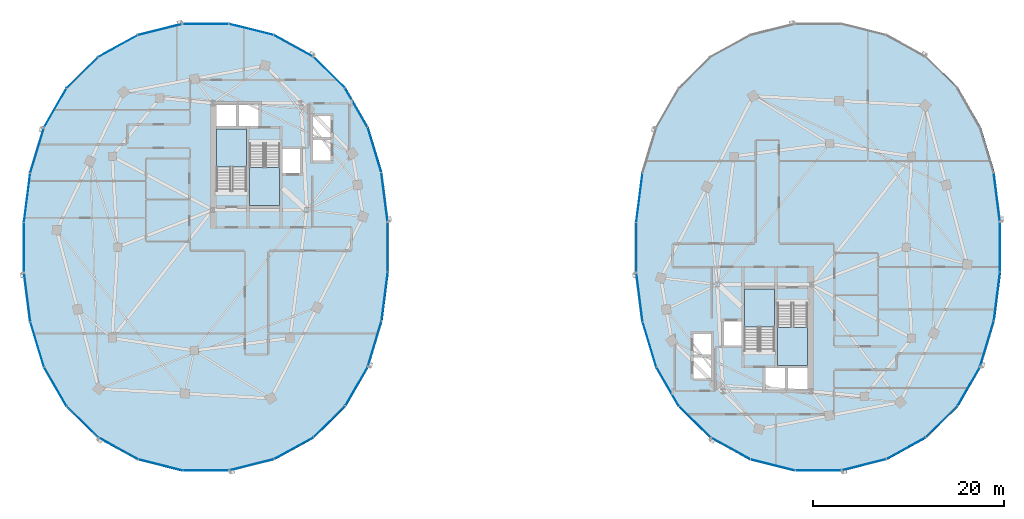
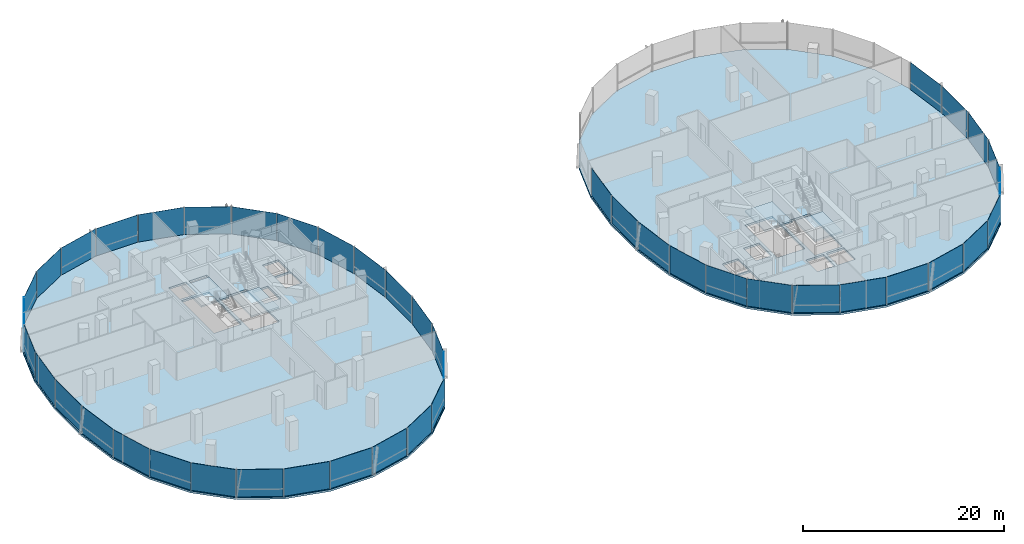
# One storey, part 10 of 22: 45 plates, 6 slabs, 12 elements without a shape of their own.
"""IFC4 building model written with IfcOpenShell, lengths in metres."""

from ifc_helpers import new_model, si_unit, direction, frame, origin, origin_2d, place, context, subcontext, project, spatial, polyline, rectangle, outline, extrude, material, layer, layer_set, type_object, element, aggregate, save


model = new_model("IFC4")

# Units and contexts
model_context = context("Model", 3, precision=1e-05, world=origin(), true_north=direction((0.0, 1.0)))
body_context = subcontext(model_context, "Body", "Model", "MODEL_VIEW")
ifc_project = project(units=[si_unit("LENGTHUNIT", "METRE"), si_unit("AREAUNIT", "SQUARE_METRE"), si_unit("VOLUMEUNIT", "CUBIC_METRE"), si_unit("PLANEANGLEUNIT", "RADIAN"), si_unit("MASSUNIT", "GRAM", prefix="KILO"), si_unit("THERMODYNAMICTEMPERATUREUNIT", "KELVIN"), si_unit("POWERUNIT", "WATT")], contexts=[model_context])

# Site, building, storey
site_placement = place(None, origin())
site = spatial("IfcSite", under=ifc_project, at=site_placement, CompositionType="ELEMENT")
building_placement = place(site_placement, origin())
building = spatial("IfcBuilding", under=site, at=building_placement, Name="Cundina Bronze Exchange", CompositionType="ELEMENT")
storey_placement = place(building_placement, frame((0.0, 0.0, 154.800048828125)))
storey = spatial("IfcBuildingStorey", under=building, at=storey_placement, Name="L40", CompositionType="ELEMENT", Elevation=154.800048828125)

# Curtain wall, plates
ifc_material_1 = material(Name="Anodised Bronze Aluminium 6063-T6", Category="aluminium")
curtain_wall_type = type_object("IfcCurtainWallType", Name="CWS-WST-PIN", PredefinedType="NOTDEFINED", material=ifc_material_1)
curtain_wall_1_placement = place(storey_placement, origin())
curtain_wall_1 = element("IfcCurtainWall", 1, at=curtain_wall_1_placement, inside=storey, type_object=curtain_wall_type, Name="L40 CW-04 Curtain Wall Run CWR-L40-W1", PredefinedType="NOTDEFINED")
ifc_material_2 = material(Name="Heat-Strengthened Solar-Control Bronze Safety Glass 28mm", Category="glass")
ifc_layer_1 = layer(ifc_material_2, 0.028076171875, Name="Heat-Strengthened Solar-Control Bronze Safety Glass 28mm", Category="glass")
ifc_layer_set_1 = layer_set([ifc_layer_1], Name="Heat-Strengthened Solar-Control Bronze Safety Glass 28mm")
plate_type_1 = type_object("IfcPlateType", Name="PLT-GLZ-VIS28", PredefinedType="CURTAIN_PANEL", material=ifc_layer_set_1)
plate_1_placement = place(storey_placement, frame((-13.320556640625, 5.2041015625, 0.02001953125), z_axis=(0.0, 0.0, 1.0), x_axis=(-0.126475984253, 0.9919696696, 0.0)))
plate_1 = element("IfcPlate", 2, at=plate_1_placement, type_object=plate_type_1, Name="CW-04 Glazed Panel 1", PredefinedType="CURTAIN_PANEL", context=body_context, shape_type="SweptSolid", body=[
    extrude(rectangle(XDim=5.104736328125, YDim=0.028076171875, at=origin_2d()), origin(), (0.0, 0.0, 1.0), 3.320068359375),
])
plate_2_placement = place(storey_placement, frame((-14.36669921875, 10.14208984375, 0.02001953125), z_axis=(0.0, 0.0, 1.0), x_axis=(-0.290050843957, 0.957011237092, 0.0)))
plate_2 = element("IfcPlate", 3, at=plate_2_placement, type_object=plate_type_1, Name="CW-04 Glazed Panel 2", PredefinedType="CURTAIN_PANEL", context=body_context, shape_type="SweptSolid", body=[
    extrude(rectangle(XDim=4.885009765625, YDim=0.028076171875, at=origin_2d()), origin(), (0.0, 0.0, 1.0), 3.320068359375),
])
plate_3_placement = place(storey_placement, frame((-16.265625, 14.564697265625, 0.02001953125), z_axis=(0.0, 0.0, 1.0), x_axis=(-0.498487739754, 0.866896748936, 0.0)))
plate_3 = element("IfcPlate", 4, at=plate_3_placement, type_object=plate_type_1, Name="CW-04 Glazed Panel 3", PredefinedType="CURTAIN_PANEL", context=body_context, shape_type="SweptSolid", body=[
    extrude(rectangle(XDim=4.676513671875, YDim=0.028076171875, at=origin_2d()), origin(), (0.0, 0.0, 1.0), 3.320068359375),
])
plate_4_placement = place(storey_placement, frame((-19.105224609375, 18.253662109375, 0.02001953125), z_axis=(0.0, 0.0, 1.0), x_axis=(-0.711989280367, 0.702190333629, 0.0)))
plate_4 = element("IfcPlate", 5, at=plate_4_placement, type_object=plate_type_1, Name="CW-04 Glazed Panel 4", PredefinedType="CURTAIN_PANEL", context=body_context, shape_type="SweptSolid", body=[
    extrude(rectangle(XDim=4.6025390625, YDim=0.028076171875, at=origin_2d()), origin(), (0.0, 0.0, 1.0), 3.320068359375),
])
plate_5_placement = place(storey_placement, frame((-27.23486328125, 22.75244140625, 0.02001953125), z_axis=(0.0, 0.0, 1.0), x_axis=(-0.970092713791, 0.242734683656, 0.0)))
plate_5 = element("IfcPlate", 6, at=plate_5_placement, type_object=plate_type_1, Name="CW-04 Glazed Panel 6", PredefinedType="CURTAIN_PANEL", context=body_context, shape_type="SweptSolid", body=[
    extrude(rectangle(XDim=4.7548828125, YDim=0.028076171875, at=origin_2d()), origin(), (0.0, 0.0, 1.0), 3.320068359375),
])
plate_6_placement = place(storey_placement, frame((-32.0, 23.3369140625, 0.02001953125), z_axis=(0.0, 0.0, 1.0), x_axis=(-1.0, 0.0, 0.0)))
plate_6 = element("IfcPlate", 7, at=plate_6_placement, type_object=plate_type_1, Name="CW-04 Glazed Panel 7", PredefinedType="CURTAIN_PANEL", context=body_context, shape_type="SweptSolid", body=[
    extrude(rectangle(XDim=4.7958984375, YDim=0.028076171875, at=origin_2d()), origin(), (0.0, 0.0, 1.0), 3.320068359375),
])

curtain_wall_2_placement = place(storey_placement, origin())
curtain_wall_2 = element("IfcCurtainWall", 8, at=curtain_wall_2_placement, inside=storey, type_object=curtain_wall_type, Name="L40 CW-04 Curtain Wall Run CWR-L40-W2", PredefinedType="NOTDEFINED")
plate_7_placement = place(storey_placement, frame((-36.76513671875, 22.75244140625, 0.02001953125), z_axis=(0.0, 0.0, 1.0), x_axis=(-0.970092713791, -0.242734683656, 0.0)))
plate_7 = element("IfcPlate", 9, at=plate_7_placement, type_object=plate_type_1, Name="CW-04 Glazed Panel 1", PredefinedType="CURTAIN_PANEL", context=body_context, shape_type="SweptSolid", body=[
    extrude(rectangle(XDim=4.7548828125, YDim=0.028076171875, at=origin_2d()), origin(), (0.0, 0.0, 1.0), 3.320068359375),
])
plate_8_placement = place(storey_placement, frame((-41.16845703125, 21.02880859375, 0.02001953125), z_axis=(0.0, 0.0, 1.0), x_axis=(-0.875869093438, -0.482548786301, 0.0)))
plate_8 = element("IfcPlate", 10, at=plate_8_placement, type_object=plate_type_1, Name="CW-04 Glazed Panel 2", PredefinedType="CURTAIN_PANEL", context=body_context, shape_type="SweptSolid", body=[
    extrude(rectangle(XDim=4.661865234375, YDim=0.028076171875, at=origin_2d()), origin(), (0.0, 0.0, 1.0), 3.320068359375),
])
plate_9_placement = place(storey_placement, frame((-44.894775390625, 18.253662109375, 0.02001953125), z_axis=(0.0, 0.0, 1.0), x_axis=(-0.711989280367, -0.702190333629, 0.0)))
plate_9 = element("IfcPlate", 11, at=plate_9_placement, type_object=plate_type_1, Name="CW-04 Glazed Panel 3", PredefinedType="CURTAIN_PANEL", context=body_context, shape_type="SweptSolid", body=[
    extrude(rectangle(XDim=4.6025390625, YDim=0.028076171875, at=origin_2d()), origin(), (0.0, 0.0, 1.0), 3.320068359375),
])
plate_10_placement = place(storey_placement, frame((-49.63330078125, 10.14208984375, 0.02001953125), z_axis=(0.0, 0.0, 1.0), x_axis=(-0.290050843957, -0.957011237092, 0.0)))
plate_10 = element("IfcPlate", 12, at=plate_10_placement, type_object=plate_type_1, Name="CW-04 Glazed Panel 5", PredefinedType="CURTAIN_PANEL", context=body_context, shape_type="SweptSolid", body=[
    extrude(rectangle(XDim=4.885009765625, YDim=0.028076171875, at=origin_2d()), origin(), (0.0, 0.0, 1.0), 3.320068359375),
])
plate_11_placement = place(storey_placement, frame((-50.679443359375, 5.2041015625, 0.02001953125), z_axis=(0.0, 0.0, 1.0), x_axis=(-0.126475984253, -0.9919696696, 0.0)))
plate_11 = element("IfcPlate", 13, at=plate_11_placement, type_object=plate_type_1, Name="CW-04 Glazed Panel 6", PredefinedType="CURTAIN_PANEL", context=body_context, shape_type="SweptSolid", body=[
    extrude(rectangle(XDim=5.104736328125, YDim=0.028076171875, at=origin_2d()), origin(), (0.0, 0.0, 1.0), 3.320068359375),
])
plate_12_placement = place(storey_placement, frame((-51.007080078125, 0.0, 0.02001953125), z_axis=(0.0, 0.0, 1.0), x_axis=(0.0, -1.0, 0.0)))
plate_12 = element("IfcPlate", 14, at=plate_12_placement, type_object=plate_type_1, Name="CW-04 Glazed Panel 7", PredefinedType="CURTAIN_PANEL", context=body_context, shape_type="SweptSolid", body=[
    extrude(rectangle(XDim=5.194091796875, YDim=0.028076171875, at=origin_2d()), origin(), (0.0, 0.0, 1.0), 3.320068359375),
])

curtain_wall_3_placement = place(storey_placement, origin())
curtain_wall_3 = element("IfcCurtainWall", 15, at=curtain_wall_3_placement, inside=storey, type_object=curtain_wall_type, Name="L40 CW-04 Curtain Wall Run CWR-L40-W3", PredefinedType="NOTDEFINED")
plate_13_placement = place(storey_placement, frame((-50.679443359375, -5.2041015625, 0.02001953125), z_axis=(0.0, 0.0, 1.0), x_axis=(0.126475984253, -0.9919696696, 0.0)))
plate_13 = element("IfcPlate", 16, at=plate_13_placement, type_object=plate_type_1, Name="CW-04 Glazed Panel 1", PredefinedType="CURTAIN_PANEL", context=body_context, shape_type="SweptSolid", body=[
    extrude(rectangle(XDim=5.104736328125, YDim=0.028076171875, at=origin_2d()), origin(), (0.0, 0.0, 1.0), 3.320068359375),
])
plate_14_placement = place(storey_placement, frame((-49.63330078125, -10.14208984375, 0.02001953125), z_axis=(0.0, 0.0, 1.0), x_axis=(0.290050843957, -0.957011237092, 0.0)))
plate_14 = element("IfcPlate", 17, at=plate_14_placement, type_object=plate_type_1, Name="CW-04 Glazed Panel 2", PredefinedType="CURTAIN_PANEL", context=body_context, shape_type="SweptSolid", body=[
    extrude(rectangle(XDim=4.885009765625, YDim=0.028076171875, at=origin_2d()), origin(), (0.0, 0.0, 1.0), 3.320068359375),
])
plate_15_placement = place(storey_placement, frame((-44.894775390625, -18.253662109375, 0.02001953125), z_axis=(0.0, 0.0, 1.0), x_axis=(0.711989280367, -0.702190333629, 0.0)))
plate_15 = element("IfcPlate", 18, at=plate_15_placement, type_object=plate_type_1, Name="CW-04 Glazed Panel 4", PredefinedType="CURTAIN_PANEL", context=body_context, shape_type="SweptSolid", body=[
    extrude(rectangle(XDim=4.6025390625, YDim=0.028076171875, at=origin_2d()), origin(), (0.0, 0.0, 1.0), 3.320068359375),
])
plate_16_placement = place(storey_placement, frame((-41.16845703125, -21.02880859375, 0.02001953125), z_axis=(0.0, 0.0, 1.0), x_axis=(0.875869093438, -0.482548786301, 0.0)))
plate_16 = element("IfcPlate", 19, at=plate_16_placement, type_object=plate_type_1, Name="CW-04 Glazed Panel 5", PredefinedType="CURTAIN_PANEL", context=body_context, shape_type="SweptSolid", body=[
    extrude(rectangle(XDim=4.661865234375, YDim=0.028076171875, at=origin_2d()), origin(), (0.0, 0.0, 1.0), 3.320068359375),
])
plate_17_placement = place(storey_placement, frame((-36.76513671875, -22.75244140625, 0.02001953125), z_axis=(0.0, 0.0, 1.0), x_axis=(0.970092713791, -0.242734683656, 0.0)))
plate_17 = element("IfcPlate", 20, at=plate_17_placement, type_object=plate_type_1, Name="CW-04 Glazed Panel 6", PredefinedType="CURTAIN_PANEL", context=body_context, shape_type="SweptSolid", body=[
    extrude(rectangle(XDim=4.7548828125, YDim=0.028076171875, at=origin_2d()), origin(), (0.0, 0.0, 1.0), 3.320068359375),
])
plate_18_placement = place(storey_placement, frame((-32.0, -23.3369140625, 0.02001953125), z_axis=(0.0, 0.0, 1.0), x_axis=(1.0, 0.0, 0.0)))
plate_18 = element("IfcPlate", 21, at=plate_18_placement, type_object=plate_type_1, Name="CW-04 Glazed Panel 7", PredefinedType="CURTAIN_PANEL", context=body_context, shape_type="SweptSolid", body=[
    extrude(rectangle(XDim=4.7958984375, YDim=0.028076171875, at=origin_2d()), origin(), (0.0, 0.0, 1.0), 3.320068359375),
])

curtain_wall_4_placement = place(storey_placement, origin())
curtain_wall_4 = element("IfcCurtainWall", 22, at=curtain_wall_4_placement, inside=storey, type_object=curtain_wall_type, Name="L40 CW-04 Curtain Wall Run CWR-L40-W4", PredefinedType="NOTDEFINED")
plate_19_placement = place(storey_placement, frame((-27.23486328125, -22.75244140625, 0.02001953125), z_axis=(0.0, 0.0, 1.0), x_axis=(0.970092713791, 0.242734683656, 0.0)))
plate_19 = element("IfcPlate", 23, at=plate_19_placement, type_object=plate_type_1, Name="CW-04 Glazed Panel 1", PredefinedType="CURTAIN_PANEL", context=body_context, shape_type="SweptSolid", body=[
    extrude(rectangle(XDim=4.7548828125, YDim=0.028076171875, at=origin_2d()), origin(), (0.0, 0.0, 1.0), 3.320068359375),
])
plate_20_placement = place(storey_placement, frame((-19.105224609375, -18.253662109375, 0.02001953125), z_axis=(0.0, 0.0, 1.0), x_axis=(0.711989280367, 0.702190333629, 0.0)))
plate_20 = element("IfcPlate", 24, at=plate_20_placement, type_object=plate_type_1, Name="CW-04 Glazed Panel 3", PredefinedType="CURTAIN_PANEL", context=body_context, shape_type="SweptSolid", body=[
    extrude(rectangle(XDim=4.6025390625, YDim=0.028076171875, at=origin_2d()), origin(), (0.0, 0.0, 1.0), 3.320068359375),
])
plate_21_placement = place(storey_placement, frame((-16.265625, -14.564697265625, 0.02001953125), z_axis=(0.0, 0.0, 1.0), x_axis=(0.498487739754, 0.866896748936, 0.0)))
plate_21 = element("IfcPlate", 25, at=plate_21_placement, type_object=plate_type_1, Name="CW-04 Glazed Panel 4", PredefinedType="CURTAIN_PANEL", context=body_context, shape_type="SweptSolid", body=[
    extrude(rectangle(XDim=4.676513671875, YDim=0.028076171875, at=origin_2d()), origin(), (0.0, 0.0, 1.0), 3.320068359375),
])
plate_22_placement = place(storey_placement, frame((-14.36669921875, -10.14208984375, 0.02001953125), z_axis=(0.0, 0.0, 1.0), x_axis=(0.290050843957, 0.957011237092, 0.0)))
plate_22 = element("IfcPlate", 26, at=plate_22_placement, type_object=plate_type_1, Name="CW-04 Glazed Panel 5", PredefinedType="CURTAIN_PANEL", context=body_context, shape_type="SweptSolid", body=[
    extrude(rectangle(XDim=4.885009765625, YDim=0.028076171875, at=origin_2d()), origin(), (0.0, 0.0, 1.0), 3.320068359375),
])
plate_23_placement = place(storey_placement, frame((-13.320556640625, -5.2041015625, 0.02001953125), z_axis=(0.0, 0.0, 1.0), x_axis=(0.126475984253, 0.9919696696, 0.0)))
plate_23 = element("IfcPlate", 27, at=plate_23_placement, type_object=plate_type_1, Name="CW-04 Glazed Panel 6", PredefinedType="CURTAIN_PANEL", context=body_context, shape_type="SweptSolid", body=[
    extrude(rectangle(XDim=5.104736328125, YDim=0.028076171875, at=origin_2d()), origin(), (0.0, 0.0, 1.0), 3.320068359375),
])

# Curtain wall, plate
curtain_wall_5_placement = place(storey_placement, origin())
curtain_wall_5 = element("IfcCurtainWall", 28, at=curtain_wall_5_placement, inside=storey, type_object=curtain_wall_type, Name="L40 CW-04 Curtain Wall Run CWR-L40-E1", PredefinedType="NOTDEFINED")
plate_24_placement = place(storey_placement, frame((50.679443359375, 5.2041015625, 0.02001953125), z_axis=(0.0, 0.0, 1.0), x_axis=(-0.126475984253, 0.9919696696, 0.0)))
plate_24 = element("IfcPlate", 29, at=plate_24_placement, type_object=plate_type_1, Name="CW-04 Glazed Panel 1", PredefinedType="CURTAIN_PANEL", context=body_context, shape_type="SweptSolid", body=[
    extrude(rectangle(XDim=5.104736328125, YDim=0.028076171875, at=origin_2d()), origin(), (0.0, 0.0, 1.0), 3.320068359375),
])
aggregate(curtain_wall_5, [plate_24])

# Curtain wall, plates
curtain_wall_6_placement = place(storey_placement, origin())
curtain_wall_6 = element("IfcCurtainWall", 30, at=curtain_wall_6_placement, inside=storey, type_object=curtain_wall_type, Name="L40 CW-04 Curtain Wall Run CWR-L40-E2", PredefinedType="NOTDEFINED")
plate_25_placement = place(storey_placement, frame((13.320556640625, 5.2041015625, 0.02001953125), z_axis=(0.0, 0.0, 1.0), x_axis=(-0.126475984253, -0.9919696696, 0.0)))
plate_25 = element("IfcPlate", 31, at=plate_25_placement, type_object=plate_type_1, Name="CW-04 Glazed Panel 6", PredefinedType="CURTAIN_PANEL", context=body_context, shape_type="SweptSolid", body=[
    extrude(rectangle(XDim=5.104736328125, YDim=0.028076171875, at=origin_2d()), origin(), (0.0, 0.0, 1.0), 3.320068359375),
])
plate_26_placement = place(storey_placement, frame((12.992919921875, 0.0, 0.02001953125), z_axis=(0.0, 0.0, 1.0), x_axis=(0.0, -1.0, 0.0)))
plate_26 = element("IfcPlate", 32, at=plate_26_placement, type_object=plate_type_1, Name="CW-04 Glazed Panel 7", PredefinedType="CURTAIN_PANEL", context=body_context, shape_type="SweptSolid", body=[
    extrude(rectangle(XDim=5.194091796875, YDim=0.028076171875, at=origin_2d()), origin(), (0.0, 0.0, 1.0), 3.320068359375),
])
aggregate(curtain_wall_6, [plate_25, plate_26])

curtain_wall_7_placement = place(storey_placement, origin())
curtain_wall_7 = element("IfcCurtainWall", 33, at=curtain_wall_7_placement, inside=storey, type_object=curtain_wall_type, Name="L40 CW-04 Curtain Wall Run CWR-L40-E3", PredefinedType="NOTDEFINED")
plate_27_placement = place(storey_placement, frame((13.320556640625, -5.2041015625, 0.02001953125), z_axis=(0.0, 0.0, 1.0), x_axis=(0.126475984253, -0.9919696696, 0.0)))
plate_27 = element("IfcPlate", 34, at=plate_27_placement, type_object=plate_type_1, Name="CW-04 Glazed Panel 1", PredefinedType="CURTAIN_PANEL", context=body_context, shape_type="SweptSolid", body=[
    extrude(rectangle(XDim=5.104736328125, YDim=0.028076171875, at=origin_2d()), origin(), (0.0, 0.0, 1.0), 3.320068359375),
])
plate_28_placement = place(storey_placement, frame((14.36669921875, -10.14208984375, 0.02001953125), z_axis=(0.0, 0.0, 1.0), x_axis=(0.290050843957, -0.957011237092, 0.0)))
plate_28 = element("IfcPlate", 35, at=plate_28_placement, type_object=plate_type_1, Name="CW-04 Glazed Panel 2", PredefinedType="CURTAIN_PANEL", context=body_context, shape_type="SweptSolid", body=[
    extrude(rectangle(XDim=4.885009765625, YDim=0.028076171875, at=origin_2d()), origin(), (0.0, 0.0, 1.0), 3.320068359375),
])
plate_29_placement = place(storey_placement, frame((19.105224609375, -18.253662109375, 0.02001953125), z_axis=(0.0, 0.0, 1.0), x_axis=(0.711989280367, -0.702190333629, 0.0)))
plate_29 = element("IfcPlate", 36, at=plate_29_placement, type_object=plate_type_1, Name="CW-04 Glazed Panel 4", PredefinedType="CURTAIN_PANEL", context=body_context, shape_type="SweptSolid", body=[
    extrude(rectangle(XDim=4.6025390625, YDim=0.028076171875, at=origin_2d()), origin(), (0.0, 0.0, 1.0), 3.320068359375),
])
plate_30_placement = place(storey_placement, frame((22.83154296875, -21.02880859375, 0.02001953125), z_axis=(0.0, 0.0, 1.0), x_axis=(0.875869093438, -0.482548786301, 0.0)))
plate_30 = element("IfcPlate", 37, at=plate_30_placement, type_object=plate_type_1, Name="CW-04 Glazed Panel 5", PredefinedType="CURTAIN_PANEL", context=body_context, shape_type="SweptSolid", body=[
    extrude(rectangle(XDim=4.661865234375, YDim=0.028076171875, at=origin_2d()), origin(), (0.0, 0.0, 1.0), 3.320068359375),
])
plate_31_placement = place(storey_placement, frame((27.23486328125, -22.75244140625, 0.02001953125), z_axis=(0.0, 0.0, 1.0), x_axis=(0.970092713791, -0.242734683656, 0.0)))
plate_31 = element("IfcPlate", 38, at=plate_31_placement, type_object=plate_type_1, Name="CW-04 Glazed Panel 6", PredefinedType="CURTAIN_PANEL", context=body_context, shape_type="SweptSolid", body=[
    extrude(rectangle(XDim=4.7548828125, YDim=0.028076171875, at=origin_2d()), origin(), (0.0, 0.0, 1.0), 3.320068359375),
])
plate_32_placement = place(storey_placement, frame((32.0, -23.3369140625, 0.02001953125), z_axis=(0.0, 0.0, 1.0), x_axis=(1.0, 0.0, 0.0)))
plate_32 = element("IfcPlate", 39, at=plate_32_placement, type_object=plate_type_1, Name="CW-04 Glazed Panel 7", PredefinedType="CURTAIN_PANEL", context=body_context, shape_type="SweptSolid", body=[
    extrude(rectangle(XDim=4.7958984375, YDim=0.028076171875, at=origin_2d()), origin(), (0.0, 0.0, 1.0), 3.320068359375),
])

curtain_wall_8_placement = place(storey_placement, origin())
curtain_wall_8 = element("IfcCurtainWall", 40, at=curtain_wall_8_placement, inside=storey, type_object=curtain_wall_type, Name="L40 CW-04 Curtain Wall Run CWR-L40-E4", PredefinedType="NOTDEFINED")
plate_33_placement = place(storey_placement, frame((36.76513671875, -22.75244140625, 0.02001953125), z_axis=(0.0, 0.0, 1.0), x_axis=(0.970092713791, 0.242734683656, 0.0)))
plate_33 = element("IfcPlate", 41, at=plate_33_placement, type_object=plate_type_1, Name="CW-04 Glazed Panel 1", PredefinedType="CURTAIN_PANEL", context=body_context, shape_type="SweptSolid", body=[
    extrude(rectangle(XDim=4.7548828125, YDim=0.028076171875, at=origin_2d()), origin(), (0.0, 0.0, 1.0), 3.320068359375),
])
plate_34_placement = place(storey_placement, frame((44.894775390625, -18.253662109375, 0.02001953125), z_axis=(0.0, 0.0, 1.0), x_axis=(0.711989280367, 0.702190333629, 0.0)))
plate_34 = element("IfcPlate", 42, at=plate_34_placement, type_object=plate_type_1, Name="CW-04 Glazed Panel 3", PredefinedType="CURTAIN_PANEL", context=body_context, shape_type="SweptSolid", body=[
    extrude(rectangle(XDim=4.6025390625, YDim=0.028076171875, at=origin_2d()), origin(), (0.0, 0.0, 1.0), 3.320068359375),
])
plate_35_placement = place(storey_placement, frame((47.734375, -14.564697265625, 0.02001953125), z_axis=(0.0, 0.0, 1.0), x_axis=(0.498487739754, 0.866896748936, 0.0)))
plate_35 = element("IfcPlate", 43, at=plate_35_placement, type_object=plate_type_1, Name="CW-04 Glazed Panel 4", PredefinedType="CURTAIN_PANEL", context=body_context, shape_type="SweptSolid", body=[
    extrude(rectangle(XDim=4.676513671875, YDim=0.028076171875, at=origin_2d()), origin(), (0.0, 0.0, 1.0), 3.320068359375),
])
plate_36_placement = place(storey_placement, frame((49.63330078125, -10.14208984375, 0.02001953125), z_axis=(0.0, 0.0, 1.0), x_axis=(0.290050843957, 0.957011237092, 0.0)))
plate_36 = element("IfcPlate", 44, at=plate_36_placement, type_object=plate_type_1, Name="CW-04 Glazed Panel 5", PredefinedType="CURTAIN_PANEL", context=body_context, shape_type="SweptSolid", body=[
    extrude(rectangle(XDim=4.885009765625, YDim=0.028076171875, at=origin_2d()), origin(), (0.0, 0.0, 1.0), 3.320068359375),
])
plate_37_placement = place(storey_placement, frame((50.679443359375, -5.2041015625, 0.02001953125), z_axis=(0.0, 0.0, 1.0), x_axis=(0.126475984253, 0.9919696696, 0.0)))
plate_37 = element("IfcPlate", 45, at=plate_37_placement, type_object=plate_type_1, Name="CW-04 Glazed Panel 6", PredefinedType="CURTAIN_PANEL", context=body_context, shape_type="SweptSolid", body=[
    extrude(rectangle(XDim=5.104736328125, YDim=0.028076171875, at=origin_2d()), origin(), (0.0, 0.0, 1.0), 3.320068359375),
])

# Plate
ifc_material_3 = material(Name="Dark Bronze Spandrel Glass Panel 32mm", Category="glass")
ifc_layer_2 = layer(ifc_material_3, 0.031982421875, Name="Dark Bronze Spandrel Glass Panel 32mm", Category="glass")
ifc_layer_set_2 = layer_set([ifc_layer_2], Name="Dark Bronze Spandrel Glass Panel 32mm")
plate_type_2 = type_object("IfcPlateType", Name="PLT-SPN-BRZ32", PredefinedType="CURTAIN_PANEL", material=ifc_layer_set_2)
plate_38_placement = place(storey_placement, frame((-22.83154296875, 21.02880859375, 0.02001953125), z_axis=(0.0, 0.0, 1.0), x_axis=(-0.875869093438, 0.482548786301, 0.0)))
plate_38 = element("IfcPlate", 46, at=plate_38_placement, type_object=plate_type_2, Name="CW-04 Glazed Panel 5", PredefinedType="CURTAIN_PANEL", context=body_context, shape_type="SweptSolid", body=[
    extrude(rectangle(XDim=4.661865234375, YDim=0.031982421875, at=origin_2d()), origin(), (0.0, 0.0, 1.0), 3.320068359375),
])

aggregate(curtain_wall_1, [plate_1, plate_2, plate_3, plate_4, plate_38, plate_5, plate_6])

plate_39_placement = place(storey_placement, frame((-47.734375, 14.564697265625, 0.02001953125), z_axis=(0.0, 0.0, 1.0), x_axis=(-0.498487739754, -0.866896748936, 0.0)))
plate_39 = element("IfcPlate", 47, at=plate_39_placement, type_object=plate_type_2, Name="CW-04 Glazed Panel 4", PredefinedType="CURTAIN_PANEL", context=body_context, shape_type="SweptSolid", body=[
    extrude(rectangle(XDim=4.676513671875, YDim=0.031982421875, at=origin_2d()), origin(), (0.0, 0.0, 1.0), 3.320068359375),
])

aggregate(curtain_wall_2, [plate_7, plate_8, plate_9, plate_39, plate_10, plate_11, plate_12])

plate_40_placement = place(storey_placement, frame((-47.734375, -14.564697265625, 0.02001953125), z_axis=(0.0, 0.0, 1.0), x_axis=(0.498487739754, -0.866896748936, 0.0)))
plate_40 = element("IfcPlate", 48, at=plate_40_placement, type_object=plate_type_2, Name="CW-04 Glazed Panel 3", PredefinedType="CURTAIN_PANEL", context=body_context, shape_type="SweptSolid", body=[
    extrude(rectangle(XDim=4.676513671875, YDim=0.031982421875, at=origin_2d()), origin(), (0.0, 0.0, 1.0), 3.320068359375),
])

aggregate(curtain_wall_3, [plate_13, plate_14, plate_40, plate_15, plate_16, plate_17, plate_18])

plate_41_placement = place(storey_placement, frame((-22.83154296875, -21.02880859375, 0.02001953125), z_axis=(0.0, 0.0, 1.0), x_axis=(0.875869093438, 0.482548786301, 0.0)))
plate_41 = element("IfcPlate", 49, at=plate_41_placement, type_object=plate_type_2, Name="CW-04 Glazed Panel 2", PredefinedType="CURTAIN_PANEL", context=body_context, shape_type="SweptSolid", body=[
    extrude(rectangle(XDim=4.661865234375, YDim=0.031982421875, at=origin_2d()), origin(), (0.0, 0.0, 1.0), 3.320068359375),
])

plate_42_placement = place(storey_placement, frame((-12.992919921875, 0.0, 0.02001953125), z_axis=(0.0, 0.0, 1.0), x_axis=(0.0, 1.0, 0.0)))
plate_42 = element("IfcPlate", 50, at=plate_42_placement, type_object=plate_type_2, Name="CW-04 Glazed Panel 7", PredefinedType="CURTAIN_PANEL", context=body_context, shape_type="SweptSolid", body=[
    extrude(rectangle(XDim=5.194091796875, YDim=0.031982421875, at=origin_2d()), origin(), (0.0, 0.0, 1.0), 3.320068359375),
])

aggregate(curtain_wall_4, [plate_19, plate_41, plate_20, plate_21, plate_22, plate_23, plate_42])

plate_43_placement = place(storey_placement, frame((16.265625, -14.564697265625, 0.02001953125), z_axis=(0.0, 0.0, 1.0), x_axis=(0.498487739754, -0.866896748936, 0.0)))
plate_43 = element("IfcPlate", 51, at=plate_43_placement, type_object=plate_type_2, Name="CW-04 Glazed Panel 3", PredefinedType="CURTAIN_PANEL", context=body_context, shape_type="SweptSolid", body=[
    extrude(rectangle(XDim=4.676513671875, YDim=0.031982421875, at=origin_2d()), origin(), (0.0, 0.0, 1.0), 3.320068359375),
])

aggregate(curtain_wall_7, [plate_27, plate_28, plate_43, plate_29, plate_30, plate_31, plate_32])

plate_44_placement = place(storey_placement, frame((41.16845703125, -21.02880859375, 0.02001953125), z_axis=(0.0, 0.0, 1.0), x_axis=(0.875869093438, 0.482548786301, 0.0)))
plate_44 = element("IfcPlate", 52, at=plate_44_placement, type_object=plate_type_2, Name="CW-04 Glazed Panel 2", PredefinedType="CURTAIN_PANEL", context=body_context, shape_type="SweptSolid", body=[
    extrude(rectangle(XDim=4.661865234375, YDim=0.031982421875, at=origin_2d()), origin(), (0.0, 0.0, 1.0), 3.320068359375),
])

plate_45_placement = place(storey_placement, frame((51.007080078125, 0.0, 0.02001953125), z_axis=(0.0, 0.0, 1.0), x_axis=(0.0, 1.0, 0.0)))
plate_45 = element("IfcPlate", 53, at=plate_45_placement, type_object=plate_type_2, Name="CW-04 Glazed Panel 7", PredefinedType="CURTAIN_PANEL", context=body_context, shape_type="SweptSolid", body=[
    extrude(rectangle(XDim=5.194091796875, YDim=0.031982421875, at=origin_2d()), origin(), (0.0, 0.0, 1.0), 3.320068359375),
])

aggregate(curtain_wall_8, [plate_33, plate_44, plate_34, plate_35, plate_36, plate_37, plate_45])

# Stair, slab
ifc_material_4 = material(Name="Concrete C40/50", Category="concrete")
stair_type = type_object("IfcStairType", Name="STR-OFF-360", PredefinedType="HALF_TURN_STAIR", material=ifc_material_4)
stair_1_placement = place(storey_placement, origin())
stair_1 = element("IfcStair", 54, at=stair_1_placement, inside=storey, type_object=stair_type, Name="L40 Smokeproof Exit Stair W1", PredefinedType="HALF_TURN_STAIR")
ifc_layer_3 = layer(ifc_material_4, 0.199951171875, Name="Concrete C40/50", Category="concrete")
ifc_layer_set_3 = layer_set([ifc_layer_3], Name="Concrete C40/50")
slab_type_1 = type_object("IfcSlabType", Name="SLB-LND-200", PredefinedType="LANDING", material=ifc_layer_set_3)
slab_1_placement = place(storey_placement, frame((0.0, 0.0, 1.599853515625)))
slab_1 = element("IfcSlab", 55, at=slab_1_placement, type_object=slab_type_1, Name="ST-W1 landing 1", PredefinedType="LANDING", context=body_context, shape_type="SweptSolid", body=[
    extrude(outline(polyline([(-27.739990234375, 8.3701171875), (-27.739990234375, 12.35009765625), (-30.89990234375, 12.35009765625), (-30.89990234375, 8.3701171875), (-27.739990234375, 8.3701171875)])), origin(), (0.0, 0.0, 1.0), 0.2001953125),
])
aggregate(stair_1, [slab_1])

stair_2_placement = place(storey_placement, origin())
stair_2 = element("IfcStair", 56, at=stair_2_placement, inside=storey, type_object=stair_type, Name="L40 Smokeproof Exit Stair W2", PredefinedType="HALF_TURN_STAIR")
slab_2_placement = place(storey_placement, frame((0.0, 0.0, 1.599853515625)))
slab_2 = element("IfcSlab", 57, at=slab_2_placement, type_object=slab_type_1, Name="ST-W2 landing 1", PredefinedType="LANDING", context=body_context, shape_type="SweptSolid", body=[
    extrude(outline(polyline([(-27.43994140625, 8.330078125), (-27.43994140625, 4.35009765625), (-24.280029296875, 4.35009765625), (-24.280029296875, 8.330078125), (-27.43994140625, 8.330078125)])), origin(), (0.0, 0.0, 1.0), 0.2001953125),
])
aggregate(stair_2, [slab_2])

stair_3_placement = place(storey_placement, origin())
stair_3 = element("IfcStair", 58, at=stair_3_placement, inside=storey, type_object=stair_type, Name="L40 Smokeproof Exit Stair E1", PredefinedType="HALF_TURN_STAIR")
slab_3_placement = place(storey_placement, frame((0.0, 0.0, 1.599853515625)))
slab_3 = element("IfcSlab", 59, at=slab_3_placement, type_object=slab_type_1, Name="ST-E1 landing 1", PredefinedType="LANDING", context=body_context, shape_type="SweptSolid", body=[
    extrude(outline(polyline([(27.739990234375, -8.3701171875), (27.739990234375, -12.35009765625), (30.89990234375, -12.35009765625), (30.89990234375, -8.3701171875), (27.739990234375, -8.3701171875)])), origin(), (0.0, 0.0, 1.0), 0.2001953125),
])
aggregate(stair_3, [slab_3])

stair_4_placement = place(storey_placement, origin())
stair_4 = element("IfcStair", 60, at=stair_4_placement, inside=storey, type_object=stair_type, Name="L40 Smokeproof Exit Stair E2", PredefinedType="HALF_TURN_STAIR")
slab_4_placement = place(storey_placement, frame((0.0, 0.0, 1.599853515625)))
slab_4 = element("IfcSlab", 61, at=slab_4_placement, type_object=slab_type_1, Name="ST-E2 landing 1", PredefinedType="LANDING", context=body_context, shape_type="SweptSolid", body=[
    extrude(outline(polyline([(27.43994140625, -8.330078125), (27.43994140625, -4.35009765625), (24.280029296875, -4.35009765625), (24.280029296875, -8.330078125), (27.43994140625, -8.330078125)])), origin(), (0.0, 0.0, 1.0), 0.2001953125),
])
aggregate(stair_4, [slab_4])

# Slabs
ifc_material_5 = material(Name="Concrete C50/60", Category="concrete")
ifc_layer_4 = layer(ifc_material_5, 0.239990234375, Name="Concrete C50/60", Category="concrete")
ifc_layer_set_4 = layer_set([ifc_layer_4], Name="Concrete C50/60")
slab_type_2 = type_object("IfcSlabType", Name="SLB-WST-240", PredefinedType="FLOOR", material=ifc_layer_set_4)
slab_5_placement = place(storey_placement, frame((0.0, 0.0, -0.239990234375)))
element("IfcSlab", 62, at=slab_5_placement, inside=storey, type_object=slab_type_2, Name="L40 Leg W Structural Floor Slab", PredefinedType="FLOOR", context=body_context, shape_type="SweptSolid", body=[
    extrude(outline(polyline([(-12.8779296875, 2.64208984375), (-13.534912109375, 7.794921875), (-14.97802734375, 12.555908203125), (-17.35400390625, 16.68798828125), (-20.695068359375, 19.98291015625), (-24.85693359375, 22.27587890625), (-29.556884765625, 23.451904296875), (-34.443115234375, 23.451904296875), (-39.14306640625, 22.27587890625), (-43.304931640625, 19.98291015625), (-46.64599609375, 16.68798828125), (-49.02197265625, 12.555908203125), (-50.465087890625, 7.794921875), (-51.1220703125, 2.64208984375), (-51.1220703125, -2.64208984375), (-50.465087890625, -7.794921875), (-49.02197265625, -12.555908203125), (-46.64599609375, -16.68798828125), (-43.304931640625, -19.98291015625), (-39.14306640625, -22.27587890625), (-34.443115234375, -23.451904296875), (-29.556884765625, -23.451904296875), (-24.85693359375, -22.27587890625), (-20.695068359375, -19.98291015625), (-17.35400390625, -16.68798828125), (-14.97802734375, -12.555908203125), (-13.534912109375, -7.794921875), (-12.8779296875, -2.64208984375), (-12.8779296875, 2.64208984375)]), holes=[polyline([(-27.739990234375, 5.85009765625), (-27.739990234375, 12.35009765625), (-30.89990234375, 12.35009765625), (-30.89990234375, 5.85009765625), (-27.739990234375, 5.85009765625)]), polyline([(-27.43994140625, 10.85009765625), (-27.43994140625, 4.35009765625), (-24.280029296875, 4.35009765625), (-24.280029296875, 10.85009765625), (-27.43994140625, 10.85009765625)]), polyline([(-23.97998046875, 10.25), (-22.179931640625, 10.25), (-22.179931640625, 7.75), (-23.97998046875, 7.75), (-23.97998046875, 10.25)]), polyline([(-30.89990234375, 14.949951171875), (-28.85009765625, 14.949951171875), (-28.85009765625, 12.64990234375), (-30.89990234375, 12.64990234375), (-30.89990234375, 14.949951171875)]), polyline([(-28.550048828125, 14.949951171875), (-26.5, 14.949951171875), (-26.5, 12.64990234375), (-28.550048828125, 12.64990234375), (-28.550048828125, 14.949951171875)]), polyline([(-20.800048828125, 13.699951171875), (-18.949951171875, 13.699951171875), (-18.949951171875, 11.449951171875), (-20.800048828125, 11.449951171875), (-20.800048828125, 13.699951171875)]), polyline([(-20.800048828125, 11.300048828125), (-18.949951171875, 11.300048828125), (-18.949951171875, 9.050048828125), (-20.800048828125, 9.050048828125), (-20.800048828125, 11.300048828125)])]), origin(), (0.0, 0.0, 1.0), 0.239990234375),
])
slab_6_placement = place(storey_placement, frame((0.0, 0.0, -0.239990234375)))
element("IfcSlab", 63, at=slab_6_placement, inside=storey, type_object=slab_type_2, Name="L40 Leg E Structural Floor Slab", PredefinedType="FLOOR", context=body_context, shape_type="SweptSolid", body=[
    extrude(outline(polyline([(51.1220703125, 2.64208984375), (50.465087890625, 7.794921875), (49.02197265625, 12.555908203125), (46.64599609375, 16.68798828125), (43.304931640625, 19.98291015625), (39.14306640625, 22.27587890625), (34.443115234375, 23.451904296875), (29.556884765625, 23.451904296875), (24.85693359375, 22.27587890625), (20.695068359375, 19.98291015625), (17.35400390625, 16.68798828125), (14.97802734375, 12.555908203125), (13.534912109375, 7.794921875), (12.8779296875, 2.64208984375), (12.8779296875, -2.64208984375), (13.534912109375, -7.794921875), (14.97802734375, -12.555908203125), (17.35400390625, -16.68798828125), (20.695068359375, -19.98291015625), (24.85693359375, -22.27587890625), (29.556884765625, -23.451904296875), (34.443115234375, -23.451904296875), (39.14306640625, -22.27587890625), (43.304931640625, -19.98291015625), (46.64599609375, -16.68798828125), (49.02197265625, -12.555908203125), (50.465087890625, -7.794921875), (51.1220703125, -2.64208984375), (51.1220703125, 2.64208984375)]), holes=[polyline([(27.739990234375, -5.85009765625), (27.739990234375, -12.35009765625), (30.89990234375, -12.35009765625), (30.89990234375, -5.85009765625), (27.739990234375, -5.85009765625)]), polyline([(27.43994140625, -10.85009765625), (27.43994140625, -4.35009765625), (24.280029296875, -4.35009765625), (24.280029296875, -10.85009765625), (27.43994140625, -10.85009765625)]), polyline([(22.179931640625, -7.75), (23.97998046875, -7.75), (23.97998046875, -10.25), (22.179931640625, -10.25), (22.179931640625, -7.75)]), polyline([(28.85009765625, -12.64990234375), (30.89990234375, -12.64990234375), (30.89990234375, -14.949951171875), (28.85009765625, -14.949951171875), (28.85009765625, -12.64990234375)]), polyline([(26.5, -12.64990234375), (28.550048828125, -12.64990234375), (28.550048828125, -14.949951171875), (26.5, -14.949951171875), (26.5, -12.64990234375)]), polyline([(18.949951171875, -11.449951171875), (20.800048828125, -11.449951171875), (20.800048828125, -13.699951171875), (18.949951171875, -13.699951171875), (18.949951171875, -11.449951171875)]), polyline([(18.949951171875, -9.050048828125), (20.800048828125, -9.050048828125), (20.800048828125, -11.300048828125), (18.949951171875, -11.300048828125), (18.949951171875, -9.050048828125)])]), origin(), (0.0, 0.0, 1.0), 0.239990234375),
])

save(model, "model.ifc")
